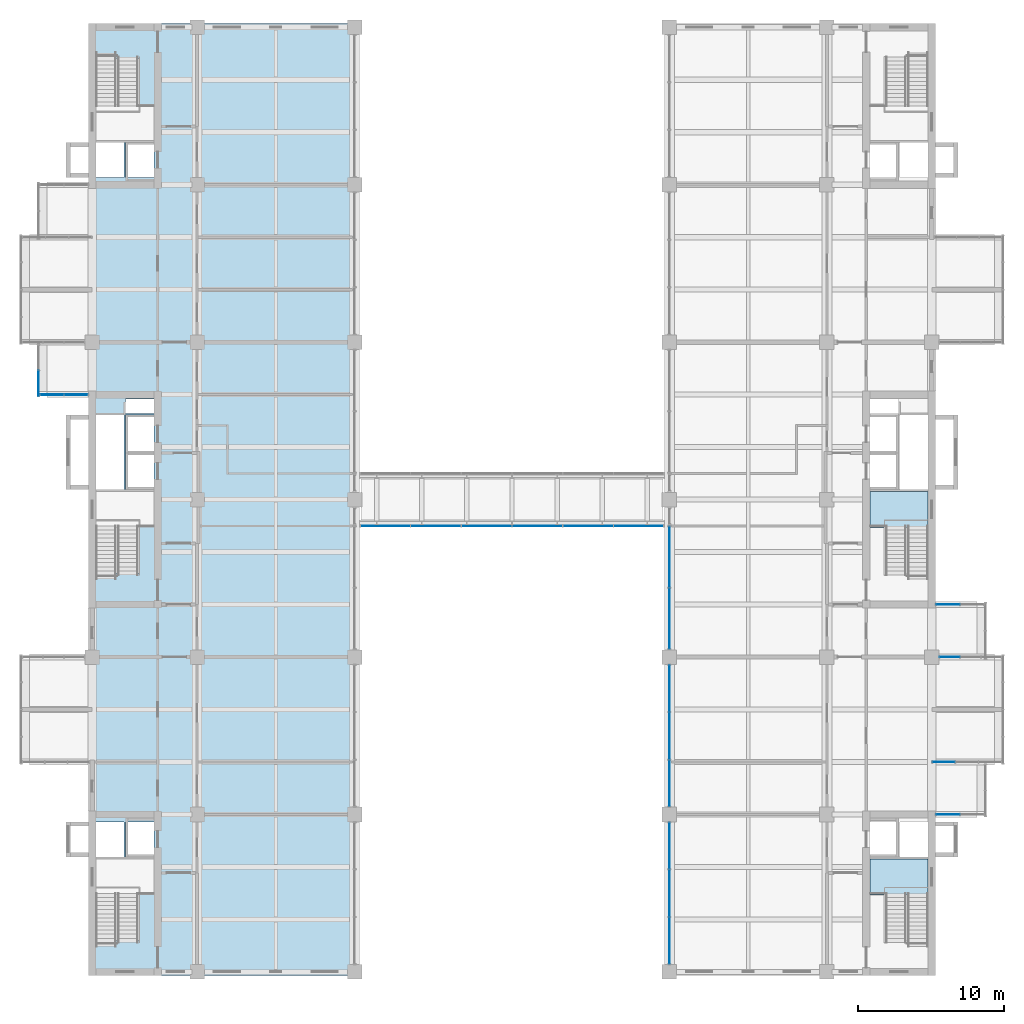
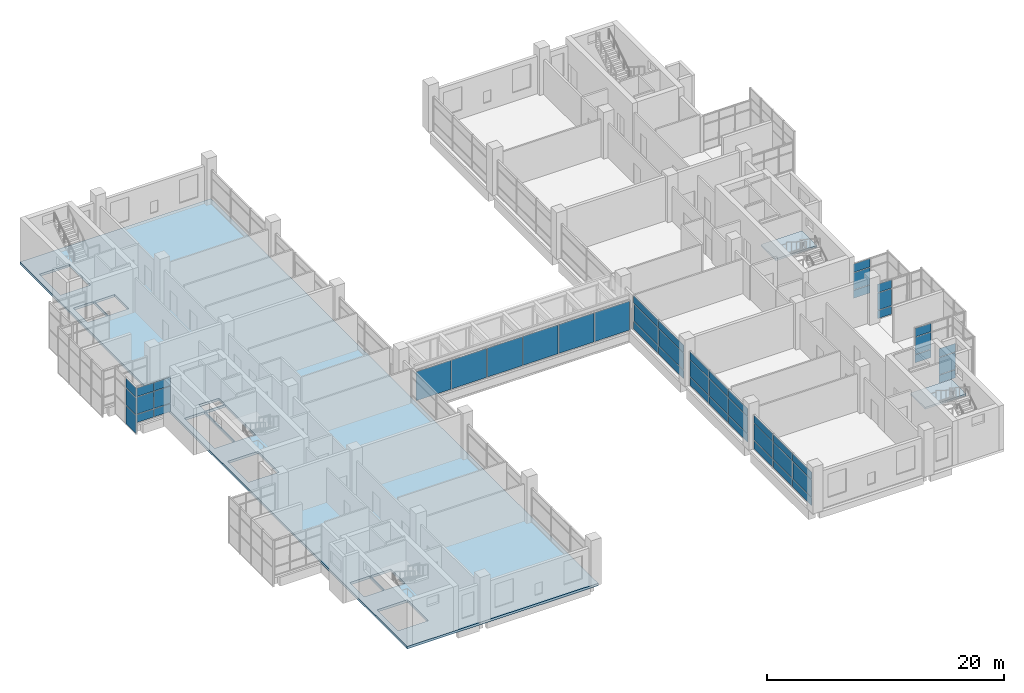
# One storey, part 21 of 35: 51 plates, 3 slabs, 12 elements without a shape of their own.
"""IFC4 building model written with IfcOpenShell, lengths in metres."""

from ifc_helpers import new_model, si_unit, direction, frame, origin, origin_2d, place, context, subcontext, project, spatial, polyline, rectangle, outline, extrude, material, layer, layer_set, type_object, element, aggregate, save


model = new_model("IFC4")

# Units and contexts
model_context = context("Model", 3, precision=1e-05, world=origin(), true_north=direction((0.0, 1.0)))
body_context = subcontext(model_context, "Body", "Model", "MODEL_VIEW")
ifc_project = project(units=[si_unit("LENGTHUNIT", "METRE"), si_unit("AREAUNIT", "SQUARE_METRE"), si_unit("VOLUMEUNIT", "CUBIC_METRE"), si_unit("PLANEANGLEUNIT", "RADIAN"), si_unit("MASSUNIT", "GRAM", prefix="KILO")], contexts=[model_context])

# Site, building, storey
site_placement = place(None, origin())
site = spatial("IfcSite", under=ifc_project, at=site_placement, CompositionType="ELEMENT")
building_placement = place(site_placement, origin())
building = spatial("IfcBuilding", under=site, at=building_placement, Name="Basin Gate Institute", CompositionType="ELEMENT")
storey_placement = place(building_placement, frame((0.0, 0.0, 31.800048828125)))
storey = spatial("IfcBuildingStorey", under=building, at=storey_placement, Name="L06", CompositionType="ELEMENT", Elevation=31.800048828125)

# Curtain wall, plates
ifc_material_1 = material(Name="Aluminium and glass curtain wall", Category="aluminium")
ifc_layer_1 = layer(ifc_material_1, 0.14990234375)
ifc_layer_set_1 = layer_set([ifc_layer_1], Name="Atrium curtain wall CW81")
curtain_wall_type_1 = type_object("IfcCurtainWallType", Name="Atrium curtain wall CW81", PredefinedType="NOTDEFINED", material=ifc_layer_set_1)
curtain_wall_1_placement = place(storey_placement, origin())
curtain_wall_1 = element("IfcCurtainWall", 1, at=curtain_wall_1_placement, inside=storey, type_object=curtain_wall_type_1, material=ifc_layer_set_1, Name="Bridge glazed enclosure L06 1", PredefinedType="NOTDEFINED")
ifc_material_2 = material(Name="Toughened glass", Category="glass")
ifc_layer_2 = layer(ifc_material_2, 0.028076171875)
ifc_layer_set_2 = layer_set([ifc_layer_2], Name="Atrium glass panel PN81")
plate_type_1 = type_object("IfcPlateType", Name="Atrium glass panel PN81", PredefinedType="CURTAIN_PANEL", material=ifc_layer_set_2)
plate_1_placement = place(storey_placement, frame((81.306640625, 65.699951171875, 0.06005859375), z_axis=(0.0, 0.0, 1.0), x_axis=(1.0, 0.0, 0.0)))
plate_1 = element("IfcPlate", 2, at=plate_1_placement, type_object=plate_type_1, material=ifc_layer_set_2, Name="CW81 panel 1.1", PredefinedType="CURTAIN_PANEL", context=body_context, shape_type="SweptSolid", body=[
    extrude(rectangle(XDim=3.393310546875, YDim=0.028076171875, at=origin_2d()), origin(), (0.0, 0.0, 1.0), 2.97998046875),
])
plate_2_placement = place(storey_placement, frame((84.77490234375, 65.699951171875, 0.06005859375), z_axis=(0.0, 0.0, 1.0), x_axis=(1.0, 0.0, 0.0)))
plate_2 = element("IfcPlate", 3, at=plate_2_placement, type_object=plate_type_1, material=ifc_layer_set_2, Name="CW81 panel 2.1", PredefinedType="CURTAIN_PANEL", context=body_context, shape_type="SweptSolid", body=[
    extrude(rectangle(XDim=3.42333984375, YDim=0.028076171875, at=origin_2d()), origin(), (0.0, 0.0, 1.0), 2.97998046875),
])
plate_3_placement = place(storey_placement, frame((88.25830078125, 65.699951171875, 0.06005859375), z_axis=(0.0, 0.0, 1.0), x_axis=(1.0, 0.0, 0.0)))
plate_3 = element("IfcPlate", 4, at=plate_3_placement, type_object=plate_type_1, material=ifc_layer_set_2, Name="CW81 panel 3.1", PredefinedType="CURTAIN_PANEL", context=body_context, shape_type="SweptSolid", body=[
    extrude(rectangle(XDim=3.42333984375, YDim=0.028076171875, at=origin_2d()), origin(), (0.0, 0.0, 1.0), 2.97998046875),
])
plate_4_placement = place(storey_placement, frame((91.74169921875, 65.699951171875, 0.06005859375), z_axis=(0.0, 0.0, 1.0), x_axis=(1.0, 0.0, 0.0)))
plate_4 = element("IfcPlate", 5, at=plate_4_placement, type_object=plate_type_1, material=ifc_layer_set_2, Name="CW81 panel 4.1", PredefinedType="CURTAIN_PANEL", context=body_context, shape_type="SweptSolid", body=[
    extrude(rectangle(XDim=3.42333984375, YDim=0.028076171875, at=origin_2d()), origin(), (0.0, 0.0, 1.0), 2.97998046875),
])
plate_5_placement = place(storey_placement, frame((95.22509765625, 65.699951171875, 0.06005859375), z_axis=(0.0, 0.0, 1.0), x_axis=(1.0, 0.0, 0.0)))
plate_5 = element("IfcPlate", 6, at=plate_5_placement, type_object=plate_type_1, material=ifc_layer_set_2, Name="CW81 panel 5.1", PredefinedType="CURTAIN_PANEL", context=body_context, shape_type="SweptSolid", body=[
    extrude(rectangle(XDim=3.42333984375, YDim=0.028076171875, at=origin_2d()), origin(), (0.0, 0.0, 1.0), 2.97998046875),
])
plate_6_placement = place(storey_placement, frame((98.693359375, 65.699951171875, 0.06005859375), z_axis=(0.0, 0.0, 1.0), x_axis=(1.0, 0.0, 0.0)))
plate_6 = element("IfcPlate", 7, at=plate_6_placement, type_object=plate_type_1, material=ifc_layer_set_2, Name="CW81 panel 6.1", PredefinedType="CURTAIN_PANEL", context=body_context, shape_type="SweptSolid", body=[
    extrude(rectangle(XDim=3.393310546875, YDim=0.028076171875, at=origin_2d()), origin(), (0.0, 0.0, 1.0), 2.97998046875),
])
aggregate(curtain_wall_1, [plate_1, plate_2, plate_3, plate_4, plate_5, plate_6])

# Slab
ifc_material_3 = material(Name="Concrete 40 MPa", Category="concrete")
ifc_layer_3 = layer(ifc_material_3, 0.25)
ifc_layer_set_3 = layer_set([ifc_layer_3], Name="Concrete 40 MPa")
slab_type_1 = type_object("IfcSlabType", Name="Slab SL4 R120", PredefinedType="FLOOR", material=ifc_layer_set_3)
slab_1_placement = place(storey_placement, frame((0.0, 0.0, -0.25)))
element("IfcSlab", 8, at=slab_1_placement, inside=storey, type_object=slab_type_1, material=ifc_layer_set_3, Name="SLAB/L06/W", PredefinedType="FLOOR", context=body_context, shape_type="SweptSolid", body=[
    extrude(outline(polyline([(60.949951171875, 34.85009765625), (79.550048828125, 34.85009765625), (79.550048828125, 100.14990234375), (60.949951171875, 100.14990234375), (60.949951171875, 34.85009765625)]), holes=[polyline([(61.449951171875, 37.25), (64.39990234375, 37.25), (64.39990234375, 40.7900390625), (61.449951171875, 40.7900390625), (61.449951171875, 37.25)]), polyline([(61.449951171875, 62.449951171875), (64.39990234375, 62.449951171875), (64.39990234375, 65.989990234375), (61.449951171875, 65.989990234375), (61.449951171875, 62.449951171875)]), polyline([(61.449951171875, 94.2099609375), (64.39990234375, 94.2099609375), (64.39990234375, 97.75), (61.449951171875, 97.75), (61.449951171875, 94.2099609375)]), polyline([(61.449951171875, 43.0), (63.39990234375, 43.0), (63.39990234375, 45.39990234375), (61.449951171875, 45.39990234375), (61.449951171875, 43.0)]), polyline([(61.449951171875, 68.199951171875), (63.39990234375, 68.199951171875), (63.39990234375, 73.300048828125), (61.449951171875, 73.300048828125), (61.449951171875, 68.199951171875)]), polyline([(63.5, 73.39990234375), (65.449951171875, 73.39990234375), (65.449951171875, 74.39990234375), (63.5, 74.39990234375), (63.5, 73.39990234375)]), polyline([(61.449951171875, 89.60009765625), (63.39990234375, 89.60009765625), (63.39990234375, 92.0), (61.449951171875, 92.0), (61.449951171875, 89.60009765625)]), polyline([(63.5, 43.0), (65.449951171875, 43.0), (65.449951171875, 45.39990234375), (63.5, 45.39990234375), (63.5, 43.0)]), polyline([(65.449951171875, 68.199951171875), (63.5, 68.199951171875), (63.5, 73.300048828125), (65.449951171875, 73.300048828125), (65.449951171875, 68.199951171875)]), polyline([(63.5, 89.60009765625), (65.449951171875, 89.60009765625), (65.449951171875, 92.0), (63.5, 92.0), (63.5, 89.60009765625)])]), origin(), (0.0, 0.0, 1.0), 0.25),
])

# Curtain wall, plates
ifc_material_4 = material(Name="Aluminium-framed glazing", Category="aluminium")
ifc_layer_4 = layer(ifc_material_4, 0.14990234375)
ifc_layer_set_4 = layer_set([ifc_layer_4], Name="Capsule front curtain wall CW1")
curtain_wall_type_2 = type_object("IfcCurtainWallType", Name="Capsule front curtain wall CW1", PredefinedType="NOTDEFINED", material=ifc_layer_set_4)
curtain_wall_2_placement = place(storey_placement, origin())
curtain_wall_2 = element("IfcCurtainWall", 9, at=curtain_wall_2_placement, inside=storey, type_object=curtain_wall_type_2, material=ifc_layer_set_4, Name="Capsule front curtain wall W wing capsule end L06 line 12", PredefinedType="NOTDEFINED")
ifc_material_5 = material(Name="Aluminium insulated spandrel panel", Category="aluminium")
ifc_layer_5 = layer(ifc_material_5, 0.050048828125)
ifc_layer_set_5 = layer_set([ifc_layer_5], Name="Spandrel panel PN2")
plate_type_2 = type_object("IfcPlateType", Name="Spandrel panel PN2", PredefinedType="CURTAIN_PANEL", material=ifc_layer_set_5)
plate_7_placement = place(storey_placement, frame((58.449951171875, 74.699951171875, 0.059814453125), z_axis=(0.0, 0.0, 1.0), x_axis=(1.0, 0.0, 0.0)))
plate_7 = element("IfcPlate", 10, at=plate_7_placement, type_object=plate_type_2, material=ifc_layer_set_5, Name="CW1 spandrel panel 1.1", PredefinedType="CURTAIN_PANEL", context=body_context, shape_type="SweptSolid", body=[
    extrude(rectangle(XDim=1.60009765625, YDim=0.050048828125, at=origin_2d()), origin(), (0.0, 0.0, 1.0), 0.81005859375),
])
plate_8_placement = place(storey_placement, frame((60.10009765625, 74.699951171875, 0.059814453125), z_axis=(0.0, 0.0, 1.0), x_axis=(1.0, 0.0, 0.0)))
plate_8 = element("IfcPlate", 11, at=plate_8_placement, type_object=plate_type_2, material=ifc_layer_set_5, Name="CW1 spandrel panel 2.1", PredefinedType="CURTAIN_PANEL", context=body_context, shape_type="SweptSolid", body=[
    extrude(rectangle(XDim=1.60009765625, YDim=0.050048828125, at=origin_2d()), origin(), (0.0, 0.0, 1.0), 0.81005859375),
])

# Curtain wall, plate
curtain_wall_3_placement = place(storey_placement, origin())
curtain_wall_3 = element("IfcCurtainWall", 12, at=curtain_wall_3_placement, inside=storey, type_object=curtain_wall_type_2, material=ifc_layer_set_4, Name="Capsule front curtain wall W wing capsule 2 L06 front 1", PredefinedType="NOTDEFINED")
plate_9_placement = place(storey_placement, frame((57.52490234375, 75.46240234375, -0.990234375), z_axis=(0.0, 0.0, 1.0), x_axis=(0.0, 1.0, 0.0)))
plate_9 = element("IfcPlate", 13, at=plate_9_placement, type_object=plate_type_2, material=ifc_layer_set_5, Name="CW1 spandrel panel 1.1", PredefinedType="CURTAIN_PANEL", context=body_context, shape_type="SweptSolid", body=[
    extrude(rectangle(XDim=1.72509765625, YDim=0.050048828125, at=origin_2d()), origin(), (0.0, 0.0, 1.0), 1.860107421875),
])

# Curtain wall, plates
ifc_material_6 = material(Name="Aluminium-framed glazing", Category="aluminium")
ifc_layer_6 = layer(ifc_material_6, 0.199951171875)
ifc_layer_set_6 = layer_set([ifc_layer_6], Name="Atrium curtain wall CW2")
curtain_wall_type_3 = type_object("IfcCurtainWallType", Name="Atrium curtain wall CW2", PredefinedType="NOTDEFINED", material=ifc_layer_set_6)
curtain_wall_4_placement = place(storey_placement, origin())
curtain_wall_4 = element("IfcCurtainWall", 14, at=curtain_wall_4_placement, inside=storey, type_object=curtain_wall_type_3, material=ifc_layer_set_6, Name="Atrium curtain wall E wing atrium bay 1 L06", PredefinedType="NOTDEFINED")
plate_10_placement = place(storey_placement, frame((100.800048828125, 37.248291015625, 0.059814453125), z_axis=(0.0, 0.0, 1.0), x_axis=(0.0, 1.0, 0.0)))
plate_10 = element("IfcPlate", 15, at=plate_10_placement, type_object=plate_type_2, material=ifc_layer_set_5, Name="CW2 spandrel panel 1.1", PredefinedType="CURTAIN_PANEL", context=body_context, shape_type="SweptSolid", body=[
    extrude(rectangle(XDim=3.1767578125, YDim=0.050048828125, at=origin_2d()), origin(), (0.0, 0.0, 1.0), 0.81005859375),
])
plate_11_placement = place(storey_placement, frame((100.800048828125, 37.248291015625, 2.72998046875), z_axis=(0.0, 0.0, 1.0), x_axis=(0.0, 1.0, 0.0)))
plate_11 = element("IfcPlate", 16, at=plate_11_placement, type_object=plate_type_2, material=ifc_layer_set_5, Name="CW2 spandrel panel 1.3", PredefinedType="CURTAIN_PANEL", context=body_context, shape_type="SweptSolid", body=[
    extrude(rectangle(XDim=3.1767578125, YDim=0.050048828125, at=origin_2d()), origin(), (0.0, 0.0, 1.0), 0.760009765625),
])
plate_12_placement = place(storey_placement, frame((100.800048828125, 40.5, 0.059814453125), z_axis=(0.0, 0.0, 1.0), x_axis=(0.0, 1.0, 0.0)))
plate_12 = element("IfcPlate", 17, at=plate_12_placement, type_object=plate_type_2, material=ifc_layer_set_5, Name="CW2 spandrel panel 2.1", PredefinedType="CURTAIN_PANEL", context=body_context, shape_type="SweptSolid", body=[
    extrude(rectangle(XDim=3.206787109375, YDim=0.050048828125, at=origin_2d()), origin(), (0.0, 0.0, 1.0), 0.81005859375),
])
plate_13_placement = place(storey_placement, frame((100.800048828125, 40.5, 2.72998046875), z_axis=(0.0, 0.0, 1.0), x_axis=(0.0, 1.0, 0.0)))
plate_13 = element("IfcPlate", 18, at=plate_13_placement, type_object=plate_type_2, material=ifc_layer_set_5, Name="CW2 spandrel panel 2.3", PredefinedType="CURTAIN_PANEL", context=body_context, shape_type="SweptSolid", body=[
    extrude(rectangle(XDim=3.206787109375, YDim=0.050048828125, at=origin_2d()), origin(), (0.0, 0.0, 1.0), 0.760009765625),
])
plate_14_placement = place(storey_placement, frame((100.800048828125, 43.751708984375, 0.059814453125), z_axis=(0.0, 0.0, 1.0), x_axis=(0.0, 1.0, 0.0)))
plate_14 = element("IfcPlate", 19, at=plate_14_placement, type_object=plate_type_2, material=ifc_layer_set_5, Name="CW2 spandrel panel 3.1", PredefinedType="CURTAIN_PANEL", context=body_context, shape_type="SweptSolid", body=[
    extrude(rectangle(XDim=3.1767578125, YDim=0.050048828125, at=origin_2d()), origin(), (0.0, 0.0, 1.0), 0.81005859375),
])
plate_15_placement = place(storey_placement, frame((100.800048828125, 43.751708984375, 2.72998046875), z_axis=(0.0, 0.0, 1.0), x_axis=(0.0, 1.0, 0.0)))
plate_15 = element("IfcPlate", 20, at=plate_15_placement, type_object=plate_type_2, material=ifc_layer_set_5, Name="CW2 spandrel panel 3.3", PredefinedType="CURTAIN_PANEL", context=body_context, shape_type="SweptSolid", body=[
    extrude(rectangle(XDim=3.1767578125, YDim=0.050048828125, at=origin_2d()), origin(), (0.0, 0.0, 1.0), 0.760009765625),
])

curtain_wall_5_placement = place(storey_placement, origin())
curtain_wall_5 = element("IfcCurtainWall", 21, at=curtain_wall_5_placement, inside=storey, type_object=curtain_wall_type_3, material=ifc_layer_set_6, Name="Atrium curtain wall E wing atrium bay 2 L06", PredefinedType="NOTDEFINED")
plate_16_placement = place(storey_placement, frame((100.800048828125, 48.04833984375, 0.059814453125), z_axis=(0.0, 0.0, 1.0), x_axis=(0.0, 1.0, 0.0)))
plate_16 = element("IfcPlate", 22, at=plate_16_placement, type_object=plate_type_2, material=ifc_layer_set_5, Name="CW2 spandrel panel 1.1", PredefinedType="CURTAIN_PANEL", context=body_context, shape_type="SweptSolid", body=[
    extrude(rectangle(XDim=3.1767578125, YDim=0.050048828125, at=origin_2d()), origin(), (0.0, 0.0, 1.0), 0.81005859375),
])
plate_17_placement = place(storey_placement, frame((100.800048828125, 48.04833984375, 2.72998046875), z_axis=(0.0, 0.0, 1.0), x_axis=(0.0, 1.0, 0.0)))
plate_17 = element("IfcPlate", 23, at=plate_17_placement, type_object=plate_type_2, material=ifc_layer_set_5, Name="CW2 spandrel panel 1.3", PredefinedType="CURTAIN_PANEL", context=body_context, shape_type="SweptSolid", body=[
    extrude(rectangle(XDim=3.1767578125, YDim=0.050048828125, at=origin_2d()), origin(), (0.0, 0.0, 1.0), 0.760009765625),
])
plate_18_placement = place(storey_placement, frame((100.800048828125, 51.300048828125, 0.059814453125), z_axis=(0.0, 0.0, 1.0), x_axis=(0.0, 1.0, 0.0)))
plate_18 = element("IfcPlate", 24, at=plate_18_placement, type_object=plate_type_2, material=ifc_layer_set_5, Name="CW2 spandrel panel 2.1", PredefinedType="CURTAIN_PANEL", context=body_context, shape_type="SweptSolid", body=[
    extrude(rectangle(XDim=3.206787109375, YDim=0.050048828125, at=origin_2d()), origin(), (0.0, 0.0, 1.0), 0.81005859375),
])
plate_19_placement = place(storey_placement, frame((100.800048828125, 51.300048828125, 2.72998046875), z_axis=(0.0, 0.0, 1.0), x_axis=(0.0, 1.0, 0.0)))
plate_19 = element("IfcPlate", 25, at=plate_19_placement, type_object=plate_type_2, material=ifc_layer_set_5, Name="CW2 spandrel panel 2.3", PredefinedType="CURTAIN_PANEL", context=body_context, shape_type="SweptSolid", body=[
    extrude(rectangle(XDim=3.206787109375, YDim=0.050048828125, at=origin_2d()), origin(), (0.0, 0.0, 1.0), 0.760009765625),
])
plate_20_placement = place(storey_placement, frame((100.800048828125, 54.5517578125, 0.059814453125), z_axis=(0.0, 0.0, 1.0), x_axis=(0.0, 1.0, 0.0)))
plate_20 = element("IfcPlate", 26, at=plate_20_placement, type_object=plate_type_2, material=ifc_layer_set_5, Name="CW2 spandrel panel 3.1", PredefinedType="CURTAIN_PANEL", context=body_context, shape_type="SweptSolid", body=[
    extrude(rectangle(XDim=3.1767578125, YDim=0.050048828125, at=origin_2d()), origin(), (0.0, 0.0, 1.0), 0.81005859375),
])
plate_21_placement = place(storey_placement, frame((100.800048828125, 54.5517578125, 2.72998046875), z_axis=(0.0, 0.0, 1.0), x_axis=(0.0, 1.0, 0.0)))
plate_21 = element("IfcPlate", 27, at=plate_21_placement, type_object=plate_type_2, material=ifc_layer_set_5, Name="CW2 spandrel panel 3.3", PredefinedType="CURTAIN_PANEL", context=body_context, shape_type="SweptSolid", body=[
    extrude(rectangle(XDim=3.1767578125, YDim=0.050048828125, at=origin_2d()), origin(), (0.0, 0.0, 1.0), 0.760009765625),
])

curtain_wall_6_placement = place(storey_placement, origin())
curtain_wall_6 = element("IfcCurtainWall", 28, at=curtain_wall_6_placement, inside=storey, type_object=curtain_wall_type_3, material=ifc_layer_set_6, Name="Atrium curtain wall E wing atrium bay 3 L06 part 1", PredefinedType="NOTDEFINED")
plate_22_placement = place(storey_placement, frame((100.800048828125, 59.340087890625, 0.059814453125), z_axis=(0.0, 0.0, 1.0), x_axis=(0.0, 1.0, 0.0)))
plate_22 = element("IfcPlate", 29, at=plate_22_placement, type_object=plate_type_2, material=ifc_layer_set_5, Name="CW2 spandrel panel 1.1", PredefinedType="CURTAIN_PANEL", context=body_context, shape_type="SweptSolid", body=[
    extrude(rectangle(XDim=4.159912109375, YDim=0.050048828125, at=origin_2d()), origin(), (0.0, 0.0, 1.0), 0.81005859375),
])
plate_23_placement = place(storey_placement, frame((100.800048828125, 59.340087890625, 2.72998046875), z_axis=(0.0, 0.0, 1.0), x_axis=(0.0, 1.0, 0.0)))
plate_23 = element("IfcPlate", 30, at=plate_23_placement, type_object=plate_type_2, material=ifc_layer_set_5, Name="CW2 spandrel panel 1.3", PredefinedType="CURTAIN_PANEL", context=body_context, shape_type="SweptSolid", body=[
    extrude(rectangle(XDim=4.159912109375, YDim=0.050048828125, at=origin_2d()), origin(), (0.0, 0.0, 1.0), 0.760009765625),
])
plate_24_placement = place(storey_placement, frame((100.800048828125, 63.56005859375, 0.059814453125), z_axis=(0.0, 0.0, 1.0), x_axis=(0.0, 1.0, 0.0)))
plate_24 = element("IfcPlate", 31, at=plate_24_placement, type_object=plate_type_2, material=ifc_layer_set_5, Name="CW2 spandrel panel 2.1", PredefinedType="CURTAIN_PANEL", context=body_context, shape_type="SweptSolid", body=[
    extrude(rectangle(XDim=4.159912109375, YDim=0.050048828125, at=origin_2d()), origin(), (0.0, 0.0, 1.0), 0.81005859375),
])
plate_25_placement = place(storey_placement, frame((100.800048828125, 63.56005859375, 2.72998046875), z_axis=(0.0, 0.0, 1.0), x_axis=(0.0, 1.0, 0.0)))
plate_25 = element("IfcPlate", 32, at=plate_25_placement, type_object=plate_type_2, material=ifc_layer_set_5, Name="CW2 spandrel panel 2.3", PredefinedType="CURTAIN_PANEL", context=body_context, shape_type="SweptSolid", body=[
    extrude(rectangle(XDim=4.159912109375, YDim=0.050048828125, at=origin_2d()), origin(), (0.0, 0.0, 1.0), 0.760009765625),
])

# Curtain wall, plate
curtain_wall_7_placement = place(storey_placement, origin())
curtain_wall_7 = element("IfcCurtainWall", 33, at=curtain_wall_7_placement, inside=storey, type_object=curtain_wall_type_2, material=ifc_layer_set_4, Name="Capsule front curtain wall E wing capsule end L06 line 4", PredefinedType="NOTDEFINED")
plate_26_placement = place(storey_placement, frame((119.89990234375, 45.89990234375, 0.059814453125), z_axis=(0.0, 0.0, 1.0), x_axis=(-1.0, 0.0, 0.0)))
plate_26 = element("IfcPlate", 34, at=plate_26_placement, type_object=plate_type_2, material=ifc_layer_set_5, Name="CW1 spandrel panel 2.1", PredefinedType="CURTAIN_PANEL", context=body_context, shape_type="SweptSolid", body=[
    extrude(rectangle(XDim=1.60009765625, YDim=0.050048828125, at=origin_2d()), origin(), (0.0, 0.0, 1.0), 0.81005859375),
])

curtain_wall_8_placement = place(storey_placement, origin())
curtain_wall_8 = element("IfcCurtainWall", 35, at=curtain_wall_8_placement, inside=storey, type_object=curtain_wall_type_2, material=ifc_layer_set_4, Name="Capsule front curtain wall E wing capsule end L06 line 5", PredefinedType="NOTDEFINED")
plate_27_placement = place(storey_placement, frame((119.612548828125, 49.5, 0.059814453125), z_axis=(0.0, 0.0, 1.0), x_axis=(-1.0, 0.0, 0.0)))
plate_27 = element("IfcPlate", 36, at=plate_27_placement, type_object=plate_type_2, material=ifc_layer_set_5, Name="CW1 spandrel panel 3.1", PredefinedType="CURTAIN_PANEL", context=body_context, shape_type="SweptSolid", body=[
    extrude(rectangle(XDim=1.52490234375, YDim=0.050048828125, at=origin_2d()), origin(), (0.0, 0.0, 1.0), 0.81005859375),
])

curtain_wall_9_placement = place(storey_placement, origin())
curtain_wall_9 = element("IfcCurtainWall", 37, at=curtain_wall_9_placement, inside=storey, type_object=curtain_wall_type_2, material=ifc_layer_set_4, Name="Capsule front curtain wall E wing capsule end L06 line 7", PredefinedType="NOTDEFINED")
plate_28_placement = place(storey_placement, frame((120.029052734375, 56.699951171875, 0.059814453125), z_axis=(0.0, 0.0, 1.0), x_axis=(-1.0, 0.0, 0.0)))
plate_28 = element("IfcPlate", 38, at=plate_28_placement, type_object=plate_type_2, material=ifc_layer_set_5, Name="CW1 spandrel panel 3.1", PredefinedType="CURTAIN_PANEL", context=body_context, shape_type="SweptSolid", body=[
    extrude(rectangle(XDim=1.3583984375, YDim=0.050048828125, at=origin_2d()), origin(), (0.0, 0.0, 1.0), 0.81005859375),
])

curtain_wall_10_placement = place(storey_placement, origin())
curtain_wall_10 = element("IfcCurtainWall", 39, at=curtain_wall_10_placement, inside=storey, type_object=curtain_wall_type_2, material=ifc_layer_set_4, Name="Capsule front curtain wall E wing capsule end L06 line 8", PredefinedType="NOTDEFINED")
plate_29_placement = place(storey_placement, frame((119.89990234375, 60.300048828125, 0.059814453125), z_axis=(0.0, 0.0, 1.0), x_axis=(-1.0, 0.0, 0.0)))
plate_29 = element("IfcPlate", 40, at=plate_29_placement, type_object=plate_type_2, material=ifc_layer_set_5, Name="CW1 spandrel panel 2.1", PredefinedType="CURTAIN_PANEL", context=body_context, shape_type="SweptSolid", body=[
    extrude(rectangle(XDim=1.60009765625, YDim=0.050048828125, at=origin_2d()), origin(), (0.0, 0.0, 1.0), 0.81005859375),
])

# Stair, slab
ifc_material_7 = material(Name="Concrete 40 MPa", Category="concrete")
stair_type = type_object("IfcStairType", Name="Stair ST", PredefinedType="HALF_TURN_STAIR", material=ifc_material_7)
stair_1_placement = place(storey_placement, origin())
stair_1 = element("IfcStair", 41, at=stair_1_placement, inside=storey, type_object=stair_type, material=ifc_material_7, Name="Special safe stair ST-ES L06", PredefinedType="HALF_TURN_STAIR")
ifc_material_8 = material(Name="Concrete 40 MPa", Category="concrete")
ifc_layer_7 = layer(ifc_material_8, 0.199951171875)
ifc_layer_set_7 = layer_set([ifc_layer_7], Name="Concrete 40 MPa")
slab_type_2 = type_object("IfcSlabType", Name="Stair landing LN REI 120", PredefinedType="LANDING", material=ifc_layer_set_7)
slab_2_placement = place(storey_placement, frame((0.0, 0.0, 2.288818359375)))
slab_2 = element("IfcSlab", 42, at=slab_2_placement, type_object=slab_type_2, material=ifc_layer_set_7, Name="Stair landing ST-ES-L1 L06", PredefinedType="LANDING", context=body_context, shape_type="SweptSolid", body=[
    extrude(outline(polyline([(118.550048828125, 42.85009765625), (114.550048828125, 42.85009765625), (114.550048828125, 40.3701171875), (118.550048828125, 40.3701171875), (118.550048828125, 42.85009765625)])), origin(), (0.0, 0.0, 1.0), 0.199951171875),
])
aggregate(stair_1, [slab_2])

stair_2_placement = place(storey_placement, origin())
stair_2 = element("IfcStair", 43, at=stair_2_placement, inside=storey, type_object=stair_type, material=ifc_material_7, Name="Special safe stair ST-EM L06", PredefinedType="HALF_TURN_STAIR")
slab_3_placement = place(storey_placement, frame((0.0, 0.0, 2.288818359375)))
slab_3 = element("IfcSlab", 44, at=slab_3_placement, type_object=slab_type_2, material=ifc_layer_set_7, Name="Stair landing ST-EM-L1 L06", PredefinedType="LANDING", context=body_context, shape_type="SweptSolid", body=[
    extrude(outline(polyline([(118.550048828125, 68.050048828125), (114.550048828125, 68.050048828125), (114.550048828125, 65.570068359375), (118.550048828125, 65.570068359375), (118.550048828125, 68.050048828125)])), origin(), (0.0, 0.0, 1.0), 0.199951171875),
])
aggregate(stair_2, [slab_3])

# Plate
ifc_material_9 = material(Name="Double glazed unit")
ifc_layer_8 = layer(ifc_material_9, 0.028076171875)
ifc_layer_set_8 = layer_set([ifc_layer_8], Name="Vision panel PN1")
plate_type_3 = type_object("IfcPlateType", Name="Vision panel PN1", PredefinedType="CURTAIN_PANEL", material=ifc_layer_set_8)
plate_30_placement = place(storey_placement, frame((58.449951171875, 74.699951171875, 0.93017578125), z_axis=(0.0, 0.0, 1.0), x_axis=(1.0, 0.0, 0.0)))
plate_30 = element("IfcPlate", 45, at=plate_30_placement, type_object=plate_type_3, material=ifc_layer_set_8, Name="CW1 vision panel 1.2", PredefinedType="CURTAIN_PANEL", context=body_context, shape_type="SweptSolid", body=[
    extrude(rectangle(XDim=1.60009765625, YDim=0.028076171875, at=origin_2d()), origin(), (0.0, 0.0, 1.0), 1.739990234375),
])

plate_31_placement = place(storey_placement, frame((58.449951171875, 74.699951171875, 2.72998046875), z_axis=(0.0, 0.0, 1.0), x_axis=(1.0, 0.0, 0.0)))
plate_31 = element("IfcPlate", 46, at=plate_31_placement, type_object=plate_type_3, material=ifc_layer_set_8, Name="CW1 vision panel 1.3", PredefinedType="CURTAIN_PANEL", context=body_context, shape_type="SweptSolid", body=[
    extrude(rectangle(XDim=1.60009765625, YDim=0.028076171875, at=origin_2d()), origin(), (0.0, 0.0, 1.0), 0.860107421875),
])

plate_32_placement = place(storey_placement, frame((60.10009765625, 74.699951171875, 0.93017578125), z_axis=(0.0, 0.0, 1.0), x_axis=(1.0, 0.0, 0.0)))
plate_32 = element("IfcPlate", 47, at=plate_32_placement, type_object=plate_type_3, material=ifc_layer_set_8, Name="CW1 vision panel 2.2", PredefinedType="CURTAIN_PANEL", context=body_context, shape_type="SweptSolid", body=[
    extrude(rectangle(XDim=1.60009765625, YDim=0.028076171875, at=origin_2d()), origin(), (0.0, 0.0, 1.0), 1.739990234375),
])

plate_33_placement = place(storey_placement, frame((60.10009765625, 74.699951171875, 2.72998046875), z_axis=(0.0, 0.0, 1.0), x_axis=(1.0, 0.0, 0.0)))
plate_33 = element("IfcPlate", 48, at=plate_33_placement, type_object=plate_type_3, material=ifc_layer_set_8, Name="CW1 vision panel 2.3", PredefinedType="CURTAIN_PANEL", context=body_context, shape_type="SweptSolid", body=[
    extrude(rectangle(XDim=1.60009765625, YDim=0.028076171875, at=origin_2d()), origin(), (0.0, 0.0, 1.0), 0.860107421875),
])

aggregate(curtain_wall_2, [plate_7, plate_30, plate_31, plate_8, plate_32, plate_33])

plate_34_placement = place(storey_placement, frame((57.52490234375, 75.46240234375, 0.93017578125), z_axis=(0.0, 0.0, 1.0), x_axis=(0.0, 1.0, 0.0)))
plate_34 = element("IfcPlate", 49, at=plate_34_placement, type_object=plate_type_3, material=ifc_layer_set_8, Name="CW1 vision panel 1.2", PredefinedType="CURTAIN_PANEL", context=body_context, shape_type="SweptSolid", body=[
    extrude(rectangle(XDim=1.72509765625, YDim=0.028076171875, at=origin_2d()), origin(), (0.0, 0.0, 1.0), 1.739990234375),
])

plate_35_placement = place(storey_placement, frame((57.52490234375, 75.46240234375, 2.72998046875), z_axis=(0.0, 0.0, 1.0), x_axis=(0.0, 1.0, 0.0)))
plate_35 = element("IfcPlate", 50, at=plate_35_placement, type_object=plate_type_3, material=ifc_layer_set_8, Name="CW1 vision panel 1.3", PredefinedType="CURTAIN_PANEL", context=body_context, shape_type="SweptSolid", body=[
    extrude(rectangle(XDim=1.72509765625, YDim=0.028076171875, at=origin_2d()), origin(), (0.0, 0.0, 1.0), 0.9599609375),
])

aggregate(curtain_wall_3, [plate_9, plate_34, plate_35])

plate_36_placement = place(storey_placement, frame((100.800048828125, 37.248291015625, 0.93017578125), z_axis=(0.0, 0.0, 1.0), x_axis=(0.0, 1.0, 0.0)))
plate_36 = element("IfcPlate", 51, at=plate_36_placement, type_object=plate_type_3, material=ifc_layer_set_8, Name="CW2 vision panel 1.2", PredefinedType="CURTAIN_PANEL", context=body_context, shape_type="SweptSolid", body=[
    extrude(rectangle(XDim=3.1767578125, YDim=0.028076171875, at=origin_2d()), origin(), (0.0, 0.0, 1.0), 1.739990234375),
])

plate_37_placement = place(storey_placement, frame((100.800048828125, 40.5, 0.93017578125), z_axis=(0.0, 0.0, 1.0), x_axis=(0.0, 1.0, 0.0)))
plate_37 = element("IfcPlate", 52, at=plate_37_placement, type_object=plate_type_3, material=ifc_layer_set_8, Name="CW2 vision panel 2.2", PredefinedType="CURTAIN_PANEL", context=body_context, shape_type="SweptSolid", body=[
    extrude(rectangle(XDim=3.206787109375, YDim=0.028076171875, at=origin_2d()), origin(), (0.0, 0.0, 1.0), 1.739990234375),
])

plate_38_placement = place(storey_placement, frame((100.800048828125, 43.751708984375, 0.93017578125), z_axis=(0.0, 0.0, 1.0), x_axis=(0.0, 1.0, 0.0)))
plate_38 = element("IfcPlate", 53, at=plate_38_placement, type_object=plate_type_3, material=ifc_layer_set_8, Name="CW2 vision panel 3.2", PredefinedType="CURTAIN_PANEL", context=body_context, shape_type="SweptSolid", body=[
    extrude(rectangle(XDim=3.1767578125, YDim=0.028076171875, at=origin_2d()), origin(), (0.0, 0.0, 1.0), 1.739990234375),
])

aggregate(curtain_wall_4, [plate_10, plate_36, plate_11, plate_12, plate_37, plate_13, plate_14, plate_38, plate_15])

plate_39_placement = place(storey_placement, frame((100.800048828125, 48.04833984375, 0.93017578125), z_axis=(0.0, 0.0, 1.0), x_axis=(0.0, 1.0, 0.0)))
plate_39 = element("IfcPlate", 54, at=plate_39_placement, type_object=plate_type_3, material=ifc_layer_set_8, Name="CW2 vision panel 1.2", PredefinedType="CURTAIN_PANEL", context=body_context, shape_type="SweptSolid", body=[
    extrude(rectangle(XDim=3.1767578125, YDim=0.028076171875, at=origin_2d()), origin(), (0.0, 0.0, 1.0), 1.739990234375),
])

plate_40_placement = place(storey_placement, frame((100.800048828125, 51.300048828125, 0.93017578125), z_axis=(0.0, 0.0, 1.0), x_axis=(0.0, 1.0, 0.0)))
plate_40 = element("IfcPlate", 55, at=plate_40_placement, type_object=plate_type_3, material=ifc_layer_set_8, Name="CW2 vision panel 2.2", PredefinedType="CURTAIN_PANEL", context=body_context, shape_type="SweptSolid", body=[
    extrude(rectangle(XDim=3.206787109375, YDim=0.028076171875, at=origin_2d()), origin(), (0.0, 0.0, 1.0), 1.739990234375),
])

plate_41_placement = place(storey_placement, frame((100.800048828125, 54.5517578125, 0.93017578125), z_axis=(0.0, 0.0, 1.0), x_axis=(0.0, 1.0, 0.0)))
plate_41 = element("IfcPlate", 56, at=plate_41_placement, type_object=plate_type_3, material=ifc_layer_set_8, Name="CW2 vision panel 3.2", PredefinedType="CURTAIN_PANEL", context=body_context, shape_type="SweptSolid", body=[
    extrude(rectangle(XDim=3.1767578125, YDim=0.028076171875, at=origin_2d()), origin(), (0.0, 0.0, 1.0), 1.739990234375),
])

aggregate(curtain_wall_5, [plate_16, plate_39, plate_17, plate_18, plate_40, plate_19, plate_20, plate_41, plate_21])

plate_42_placement = place(storey_placement, frame((100.800048828125, 59.340087890625, 0.93017578125), z_axis=(0.0, 0.0, 1.0), x_axis=(0.0, 1.0, 0.0)))
plate_42 = element("IfcPlate", 57, at=plate_42_placement, type_object=plate_type_3, material=ifc_layer_set_8, Name="CW2 vision panel 1.2", PredefinedType="CURTAIN_PANEL", context=body_context, shape_type="SweptSolid", body=[
    extrude(rectangle(XDim=4.159912109375, YDim=0.028076171875, at=origin_2d()), origin(), (0.0, 0.0, 1.0), 1.739990234375),
])

plate_43_placement = place(storey_placement, frame((100.800048828125, 63.56005859375, 0.93017578125), z_axis=(0.0, 0.0, 1.0), x_axis=(0.0, 1.0, 0.0)))
plate_43 = element("IfcPlate", 58, at=plate_43_placement, type_object=plate_type_3, material=ifc_layer_set_8, Name="CW2 vision panel 2.2", PredefinedType="CURTAIN_PANEL", context=body_context, shape_type="SweptSolid", body=[
    extrude(rectangle(XDim=4.159912109375, YDim=0.028076171875, at=origin_2d()), origin(), (0.0, 0.0, 1.0), 1.739990234375),
])

aggregate(curtain_wall_6, [plate_22, plate_42, plate_23, plate_24, plate_43, plate_25])

plate_44_placement = place(storey_placement, frame((119.89990234375, 45.89990234375, 0.93017578125), z_axis=(0.0, 0.0, 1.0), x_axis=(-1.0, 0.0, 0.0)))
plate_44 = element("IfcPlate", 59, at=plate_44_placement, type_object=plate_type_3, material=ifc_layer_set_8, Name="CW1 vision panel 2.2", PredefinedType="CURTAIN_PANEL", context=body_context, shape_type="SweptSolid", body=[
    extrude(rectangle(XDim=1.60009765625, YDim=0.028076171875, at=origin_2d()), origin(), (0.0, 0.0, 1.0), 1.739990234375),
])

plate_45_placement = place(storey_placement, frame((119.89990234375, 45.89990234375, 2.72998046875), z_axis=(0.0, 0.0, 1.0), x_axis=(-1.0, 0.0, 0.0)))
plate_45 = element("IfcPlate", 60, at=plate_45_placement, type_object=plate_type_3, material=ifc_layer_set_8, Name="CW1 vision panel 2.3", PredefinedType="CURTAIN_PANEL", context=body_context, shape_type="SweptSolid", body=[
    extrude(rectangle(XDim=1.60009765625, YDim=0.028076171875, at=origin_2d()), origin(), (0.0, 0.0, 1.0), 0.860107421875),
])

aggregate(curtain_wall_7, [plate_26, plate_44, plate_45])

plate_46_placement = place(storey_placement, frame((119.612548828125, 49.5, 0.93017578125), z_axis=(0.0, 0.0, 1.0), x_axis=(-1.0, 0.0, 0.0)))
plate_46 = element("IfcPlate", 61, at=plate_46_placement, type_object=plate_type_3, material=ifc_layer_set_8, Name="CW1 vision panel 3.2", PredefinedType="CURTAIN_PANEL", context=body_context, shape_type="SweptSolid", body=[
    extrude(rectangle(XDim=1.52490234375, YDim=0.028076171875, at=origin_2d()), origin(), (0.0, 0.0, 1.0), 1.739990234375),
])

plate_47_placement = place(storey_placement, frame((119.612548828125, 49.5, 2.72998046875), z_axis=(0.0, 0.0, 1.0), x_axis=(-1.0, 0.0, 0.0)))
plate_47 = element("IfcPlate", 62, at=plate_47_placement, type_object=plate_type_3, material=ifc_layer_set_8, Name="CW1 vision panel 3.3", PredefinedType="CURTAIN_PANEL", context=body_context, shape_type="SweptSolid", body=[
    extrude(rectangle(XDim=1.52490234375, YDim=0.028076171875, at=origin_2d()), origin(), (0.0, 0.0, 1.0), 0.860107421875),
])

aggregate(curtain_wall_8, [plate_27, plate_46, plate_47])

plate_48_placement = place(storey_placement, frame((120.029052734375, 56.699951171875, 0.93017578125), z_axis=(0.0, 0.0, 1.0), x_axis=(-1.0, 0.0, 0.0)))
plate_48 = element("IfcPlate", 63, at=plate_48_placement, type_object=plate_type_3, material=ifc_layer_set_8, Name="CW1 vision panel 3.2", PredefinedType="CURTAIN_PANEL", context=body_context, shape_type="SweptSolid", body=[
    extrude(rectangle(XDim=1.3583984375, YDim=0.028076171875, at=origin_2d()), origin(), (0.0, 0.0, 1.0), 1.739990234375),
])

plate_49_placement = place(storey_placement, frame((120.029052734375, 56.699951171875, 2.72998046875), z_axis=(0.0, 0.0, 1.0), x_axis=(-1.0, 0.0, 0.0)))
plate_49 = element("IfcPlate", 64, at=plate_49_placement, type_object=plate_type_3, material=ifc_layer_set_8, Name="CW1 vision panel 3.3", PredefinedType="CURTAIN_PANEL", context=body_context, shape_type="SweptSolid", body=[
    extrude(rectangle(XDim=1.3583984375, YDim=0.028076171875, at=origin_2d()), origin(), (0.0, 0.0, 1.0), 0.860107421875),
])

aggregate(curtain_wall_9, [plate_28, plate_48, plate_49])

plate_50_placement = place(storey_placement, frame((119.89990234375, 60.300048828125, 0.93017578125), z_axis=(0.0, 0.0, 1.0), x_axis=(-1.0, 0.0, 0.0)))
plate_50 = element("IfcPlate", 65, at=plate_50_placement, type_object=plate_type_3, material=ifc_layer_set_8, Name="CW1 vision panel 2.2", PredefinedType="CURTAIN_PANEL", context=body_context, shape_type="SweptSolid", body=[
    extrude(rectangle(XDim=1.60009765625, YDim=0.028076171875, at=origin_2d()), origin(), (0.0, 0.0, 1.0), 1.739990234375),
])

plate_51_placement = place(storey_placement, frame((119.89990234375, 60.300048828125, 2.72998046875), z_axis=(0.0, 0.0, 1.0), x_axis=(-1.0, 0.0, 0.0)))
plate_51 = element("IfcPlate", 66, at=plate_51_placement, type_object=plate_type_3, material=ifc_layer_set_8, Name="CW1 vision panel 2.3", PredefinedType="CURTAIN_PANEL", context=body_context, shape_type="SweptSolid", body=[
    extrude(rectangle(XDim=1.60009765625, YDim=0.028076171875, at=origin_2d()), origin(), (0.0, 0.0, 1.0), 0.860107421875),
])

aggregate(curtain_wall_10, [plate_29, plate_50, plate_51])

save(model, "model.ifc")
